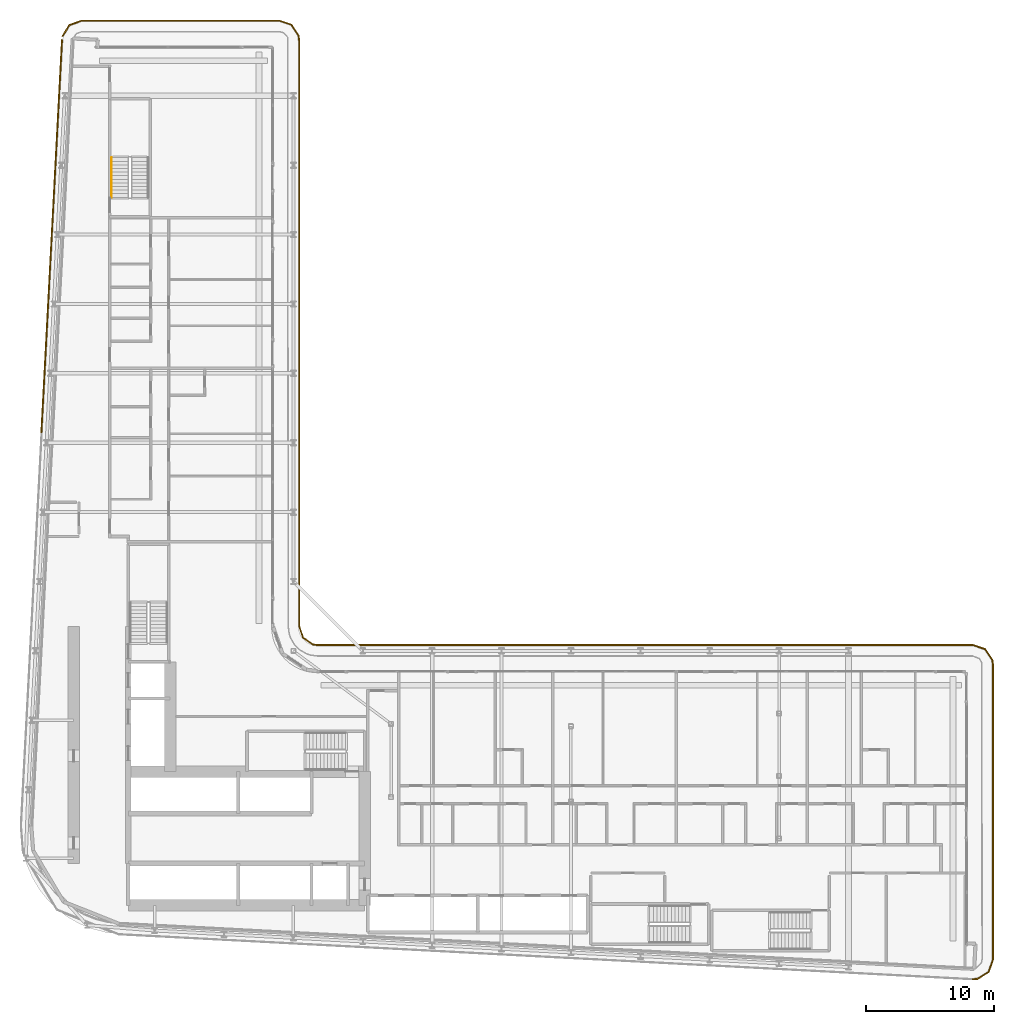
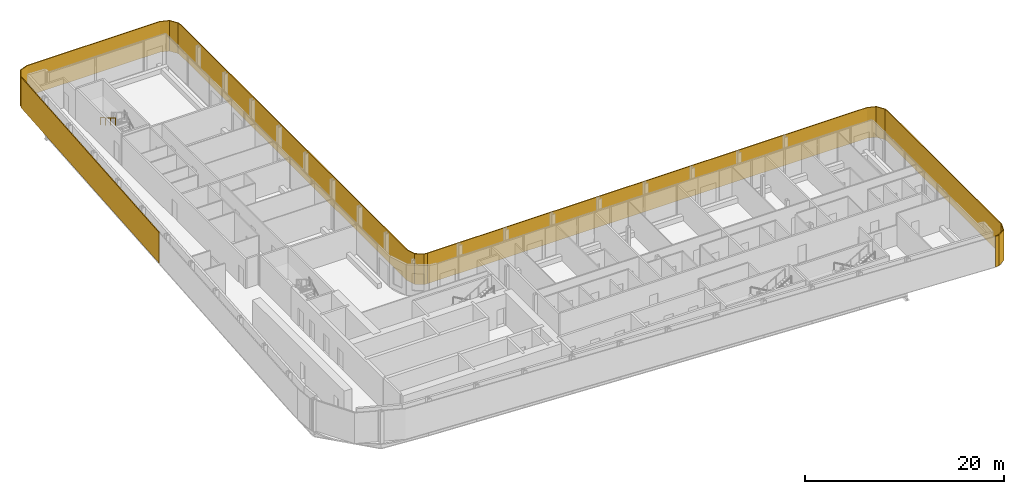
# One storey, part 24 of 26: 3 shading devices, 1 railing.
"""IFC4 building model written with IfcOpenShell, lengths in metres."""

from ifc_helpers import new_model, si_unit, direction, frame, origin, origin_2d, place, context, subcontext, project, spatial, polyline, rectangle, circle, outline, extrude, material, layer, layer_set, type_object, element, save


model = new_model("IFC4")

# Units and contexts
model_context = context("Model", 3, precision=1e-05, world=origin(), true_north=direction((0.0, 1.0)))
body_context = subcontext(model_context, "Body", "Model", "MODEL_VIEW")
ifc_project = project(units=[si_unit("LENGTHUNIT", "METRE"), si_unit("AREAUNIT", "SQUARE_METRE"), si_unit("VOLUMEUNIT", "CUBIC_METRE"), si_unit("PLANEANGLEUNIT", "RADIAN"), si_unit("MASSUNIT", "GRAM", prefix="KILO")], contexts=[model_context])

# Site, building, storey
site_placement = place(None, origin())
site = spatial("IfcSite", under=ifc_project, at=site_placement, CompositionType="ELEMENT")
building_placement = place(site_placement, origin())
building = spatial("IfcBuilding", under=site, at=building_placement, Name="Kheshtan School and Residences Tower", CompositionType="ELEMENT")
storey_placement = place(building_placement, frame((0.0, 0.0, 105.800048828125)))
storey = spatial("IfcBuildingStorey", under=building, at=storey_placement, Name="L24", CompositionType="ELEMENT", Elevation=105.800048828125)

# Shading devices
ifc_material_1 = material(Name="Terracotta baguette, extruded ceramic", Category="masonry")
ifc_layer_1 = layer(ifc_material_1, 0.10009765625)
ifc_layer_set_1 = layer_set([ifc_layer_1], Name="Ledge screen, terracotta baguettes")
shading_device_type_1 = type_object("IfcShadingDeviceType", Name="Ledge screen, terracotta baguettes", PredefinedType="USERDEFINED", material=ifc_layer_set_1)
shading_device_1_placement = place(storey_placement, frame((28.785888671875, 77.884033203125, 0.0), z_axis=(0.0, 0.0, 1.0), x_axis=(0.052562536748, 0.998617634398, 0.0)))
element("IfcShadingDevice", 1, at=shading_device_1_placement, inside=storey, type_object=shading_device_type_1, Name="Screen L24 5", ObjectType="BAGUETTE", PredefinedType="USERDEFINED", context=body_context, shape_type="SweptSolid", body=[
    extrude(rectangle(XDim=30.636962890625, YDim=0.10009765625, at=origin_2d()), origin(), (0.0, 0.0, 1.0), 3.75),
])
ifc_material_2 = material(Name="Terracotta lattice, extruded ceramic", Category="masonry")
ifc_layer_2 = layer(ifc_material_2, 0.10009765625)
ifc_layer_set_2 = layer_set([ifc_layer_2], Name="Loggia screen, terracotta lattice")
shading_device_type_2 = type_object("IfcShadingDeviceType", Name="Loggia screen, terracotta lattice", PredefinedType="USERDEFINED", material=ifc_layer_set_2)
shading_device_2_placement = place(storey_placement, origin())
element("IfcShadingDevice", 2, at=shading_device_2_placement, inside=storey, type_object=shading_device_type_2, Name="Screen L24 1", ObjectType="SCREEN", PredefinedType="USERDEFINED", context=body_context, shape_type="SweptSolid", body=[
    extrude(outline(polyline([(29.666015625, 93.384033203125), (30.18408203125, 94.257080078125), (31.138916015625, 94.60009765625), (46.5, 94.60009765625), (47.4130859375, 94.2900390625), (47.948974609375, 93.488037109375), (48.0, 93.10009765625), (48.0, 47.5), (48.31005859375, 46.5869140625), (49.112060546875, 46.051025390625), (49.5, 46.0), (49.512939453125, 46.09912109375), (49.14794921875, 46.14697265625), (48.39404296875, 46.65087890625), (48.10009765625, 47.51708984375), (48.10009765625, 93.10693359375), (48.044921875, 93.52392578125), (47.47705078125, 94.3740234375), (46.51708984375, 94.699951171875), (31.1220703125, 94.699951171875), (30.115966796875, 94.339111328125), (29.580078125, 93.43505859375), (29.666015625, 93.384033203125)])), origin(), (0.0, 0.0, 1.0), 3.75),
])
shading_device_3_placement = place(storey_placement, origin())
element("IfcShadingDevice", 3, at=shading_device_3_placement, inside=storey, type_object=shading_device_type_2, Name="Screen L24 2", ObjectType="SCREEN", PredefinedType="USERDEFINED", context=body_context, shape_type="SweptSolid", body=[
    extrude(outline(polyline([(49.5, 46.0), (100.5, 46.0), (101.4130859375, 45.68994140625), (101.948974609375, 44.887939453125), (102.0, 44.5), (102.0, 21.5810546875), (101.669921875, 20.64208984375), (100.823974609375, 20.116943359375), (100.4208984375, 20.0830078125), (100.428955078125, 19.98291015625), (100.85595703125, 20.01904296875), (101.7529296875, 20.575927734375), (102.10009765625, 21.56396484375), (102.10009765625, 44.507080078125), (102.044921875, 44.924072265625), (101.47705078125, 45.77392578125), (100.51708984375, 46.10009765625), (49.5, 46.10009765625), (49.5, 46.0)])), origin(), (0.0, 0.0, 1.0), 3.75),
])

# Railing
ifc_material_3 = material(Name="Stainless steel handrail", Category="steel")
railing_type = type_object("IfcRailingType", Name="Stair handrail 900", PredefinedType="HANDRAIL", material=ifc_material_3)
railing_placement = place(storey_placement, frame((33.449951171875, 83.97998046875, 2.112548828125)))
element("IfcRailing", 4, at=railing_placement, inside=storey, type_object=railing_type, Name="L24 ST3 stair handrail 2", PredefinedType="HANDRAIL", context=body_context, shape_type="SweptSolid", body=[
    extrude(circle(Radius=0.02392578125, at=origin_2d()), frame((0.0, 0.0, 0.8759765625), z_axis=(0.0, -0.864920483161, 0.501908913857), x_axis=(1.0, 0.0, 0.0)), (0.0, 0.0, 1.0), 3.56103515625),
    extrude(circle(Radius=0.02099609375, at=origin_2d()), origin(), (0.0, 0.0, 1.0), 0.851806640625),
    extrude(circle(Radius=0.02099609375, at=origin_2d()), frame((0.0, -1.026611328125, 0.595703125)), (0.0, 0.0, 1.0), 0.851806640625),
    extrude(circle(Radius=0.02099609375, at=origin_2d()), frame((0.0, -2.053466796875, 1.191650390625)), (0.0, 0.0, 1.0), 0.851806640625),
    extrude(circle(Radius=0.02099609375, at=origin_2d()), frame((0.0, -3.080078125, 1.787353515625)), (0.0, 0.0, 1.0), 0.851806640625),
])

save(model, "model.ifc")
